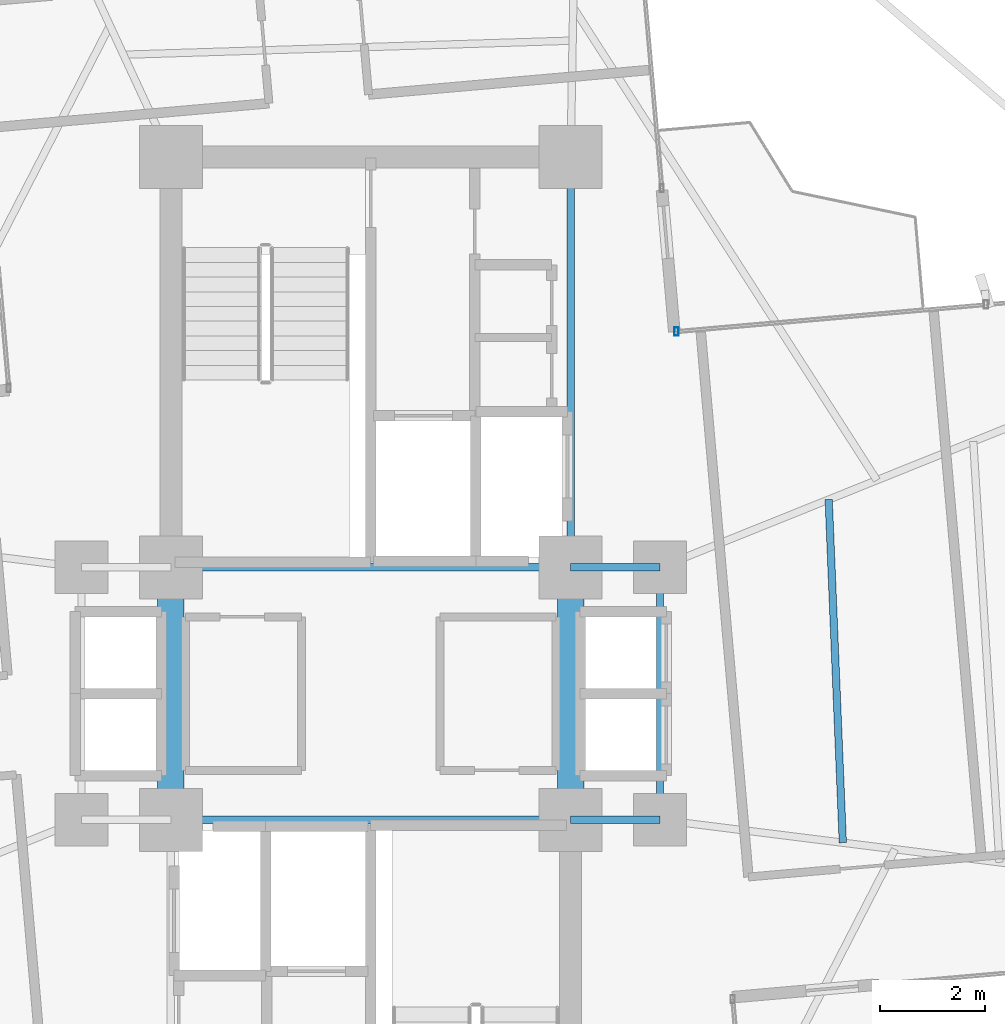
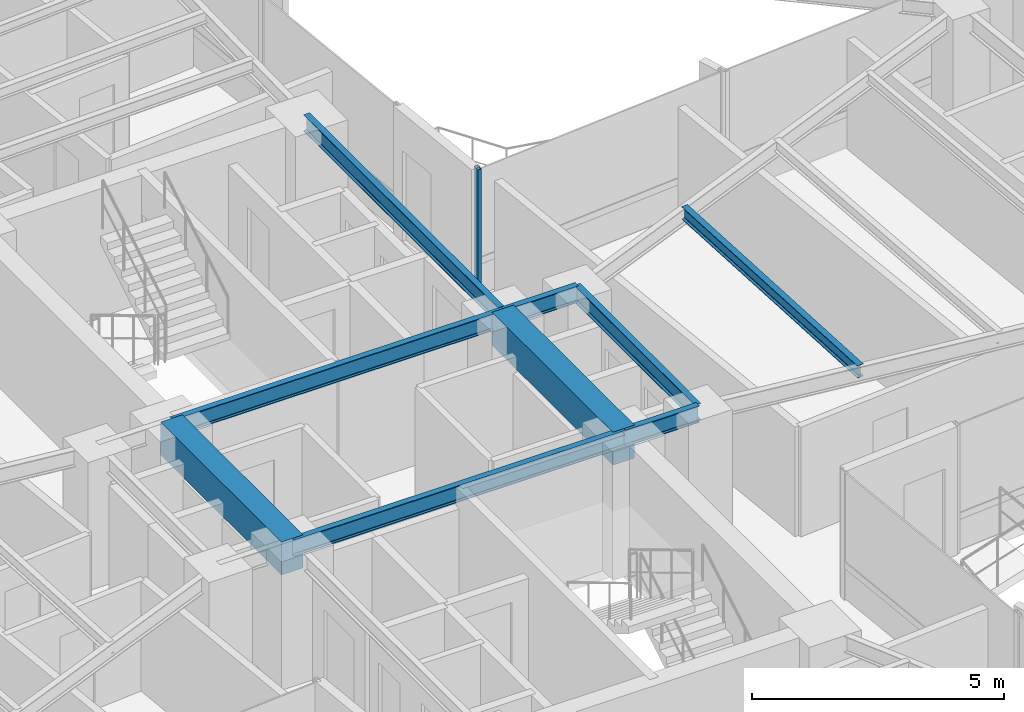
# One storey, part 11 of 24: 9 beams, 1 member, 1 element without a shape of its own.
"""IFC4 building model written with IfcOpenShell, lengths in metres."""

from ifc_helpers import new_model, si_unit, direction, frame, origin, origin_2d, place, context, subcontext, project, spatial, rectangle, hollow_rectangle, i_section, extrude, source, transform, mapped, material, material_profile, profile_set, type_object, element, aggregate, save


model = new_model("IFC4")

# Units and contexts
model_context = context("Model", 3, precision=1e-05, world=origin(), true_north=direction((0.0, 1.0)))
body_context = subcontext(model_context, "Body", "Model", "MODEL_VIEW")
ifc_project = project(units=[si_unit("LENGTHUNIT", "METRE"), si_unit("AREAUNIT", "SQUARE_METRE"), si_unit("VOLUMEUNIT", "CUBIC_METRE"), si_unit("PLANEANGLEUNIT", "RADIAN"), si_unit("MASSUNIT", "GRAM", prefix="KILO")], contexts=[model_context])

# Site, building, storey
site_placement = place(None, origin())
site = spatial("IfcSite", under=ifc_project, at=site_placement, CompositionType="ELEMENT")
building_placement = place(site_placement, origin())
building = spatial("IfcBuilding", under=site, at=building_placement, Name="Sahyath Konkavel Grand Hotel", CompositionType="ELEMENT")
storey_placement = place(building_placement, frame((0.0, 0.0, 181.89990234375)))
storey = spatial("IfcBuildingStorey", under=building, at=storey_placement, Name="L50", CompositionType="ELEMENT", Elevation=181.89990234375)

# Beams
ifc_material_1 = material(Name="Steel E350", Category="steel")
ifc_material_profile_1 = material_profile(ifc_material_1, i_section(OverallWidth=0.139892578125, OverallDepth=0.39990234375, WebThickness=0.0087890625, FlangeThickness=0.01611328125, FilletRadius=0.013916015625, at=origin_2d()), Name="ISMB 400")
ifc_profile_set_1 = profile_set([ifc_material_profile_1], Name="Steel E350")
beam_type_1 = type_object("IfcBeamType", Name="BM-ISMB400", PredefinedType="BEAM", material=ifc_profile_set_1)
shared_shape_1 = source(origin(), body_context, "Body", "SweptSolid", [
    extrude(i_section(OverallWidth=0.139892578125, OverallDepth=0.39990234375, WebThickness=0.0087890625, FlangeThickness=0.01611328125, FilletRadius=0.013916015625, at=origin_2d()), origin(), (0.0, 0.0, 1.0), 7.60009765625),
])
for number, where, z_axis, x_axis, name in (
    (1, (-3.800048828125, 2.39990234375, 2.91015625), (1.0, 0.0, 0.0), (0.0, 1.0, 0.0), "str:bm:L50:NC-S"),
    (2, (-3.800048828125, -2.39990234375, 2.91015625), (1.0, 0.0, 0.0), (0.0, 1.0, 0.0), "str:bm:L50:SC-N"),
):
    element("IfcBeam", number, at=place(storey_placement, frame(where, z_axis=z_axis, x_axis=x_axis)), inside=storey, type_object=beam_type_1, Name=name, PredefinedType="BEAM", context=body_context, shape_type="MappedRepresentation", body=[
        mapped(shared_shape_1, transform((0.0, 0.0, 0.0), scale=1.0)),
    ])
shared_shape_2 = source(origin(), body_context, "Body", "SweptSolid", [
    extrude(i_section(OverallWidth=0.139892578125, OverallDepth=0.39990234375, WebThickness=0.0087890625, FlangeThickness=0.01611328125, FilletRadius=0.013916015625, at=origin_2d()), origin(), (0.0, 0.0, 1.0), 7.800048828125),
])
beam_1_placement = place(storey_placement, frame((3.800048828125, 2.39990234375, 2.91015625), z_axis=(0.0, 1.0, 0.0), x_axis=(-1.0, 0.0, 0.0)))
element("IfcBeam", 3, at=beam_1_placement, inside=storey, type_object=beam_type_1, Name="str:bm:L50:NC-E", PredefinedType="BEAM", context=body_context, shape_type="MappedRepresentation", body=[
    mapped(shared_shape_2, transform((0.0, 0.0, 0.0), scale=1.0)),
])
shared_shape_3 = source(origin(), body_context, "Body", "SweptSolid", [
    extrude(i_section(OverallWidth=0.139892578125, OverallDepth=0.39990234375, WebThickness=0.0087890625, FlangeThickness=0.01611328125, FilletRadius=0.013916015625, at=origin_2d()), origin(), (0.0, 0.0, 1.0), 1.699951171875),
])
for number, where, z_axis, x_axis, name in (
    (4, (3.800048828125, 2.39990234375, 2.91015625), (1.0, 0.0, 0.0), (0.0, 1.0, 0.0), "str:bm:L50:HB-NE"),
    (5, (3.800048828125, -2.39990234375, 2.91015625), (1.0, 0.0, 0.0), (0.0, 1.0, 0.0), "str:bm:L50:HB-SE"),
):
    element("IfcBeam", number, at=place(storey_placement, frame(where, z_axis=z_axis, x_axis=x_axis)), inside=storey, type_object=beam_type_1, Name=name, PredefinedType="BEAM", context=body_context, shape_type="MappedRepresentation", body=[
        mapped(shared_shape_3, transform((0.0, 0.0, 0.0), scale=1.0)),
    ])
shared_shape_4 = source(origin(), body_context, "Body", "SweptSolid", [
    extrude(i_section(OverallWidth=0.139892578125, OverallDepth=0.39990234375, WebThickness=0.0087890625, FlangeThickness=0.01611328125, FilletRadius=0.013916015625, at=origin_2d()), origin(), (0.0, 0.0, 1.0), 4.7998046875),
])
beam_2_placement = place(storey_placement, frame((5.5, -2.39990234375, 2.91015625), z_axis=(0.0, 1.0, 0.0), x_axis=(-1.0, 0.0, 0.0)))
element("IfcBeam", 6, at=beam_2_placement, inside=storey, type_object=beam_type_1, Name="str:bm:L50:HB-E", PredefinedType="BEAM", context=body_context, shape_type="MappedRepresentation", body=[
    mapped(shared_shape_4, transform((0.0, 0.0, 0.0), scale=1.0)),
])
ifc_material_2 = material(Name="Concrete C50/60", Category="concrete")
ifc_material_profile_2 = material_profile(ifc_material_2, rectangle(XDim=0.5, YDim=0.800048828125, at=origin_2d()), Name="RC 500x800")
ifc_profile_set_2 = profile_set([ifc_material_profile_2], Name="Concrete C50/60")
beam_type_2 = type_object("IfcBeamType", Name="BM-CB500x800", PredefinedType="LINTEL", material=ifc_profile_set_2)
shared_shape_5 = source(origin(), body_context, "Body", "SweptSolid", [
    extrude(rectangle(XDim=0.5, YDim=0.800048828125, at=origin_2d()), origin(), (0.0, 0.0, 1.0), 4.7998046875),
])
for number, where, z_axis, x_axis, name in (
    (7, (-3.800048828125, -2.39990234375, 2.710205078125), (0.0, 1.0, 0.0), (-1.0, 0.0, 0.0), "L50 Split-Core Coupling Beam West"),
    (8, (3.800048828125, -2.39990234375, 2.710205078125), (0.0, 1.0, 0.0), (-1.0, 0.0, 0.0), "L50 Split-Core Coupling Beam East"),
):
    element("IfcBeam", number, at=place(storey_placement, frame(where, z_axis=z_axis, x_axis=x_axis)), inside=storey, type_object=beam_type_2, Name=name, PredefinedType="LINTEL", context=body_context, shape_type="MappedRepresentation", body=[
        mapped(shared_shape_5, transform((0.0, 0.0, 0.0), scale=1.0)),
    ])
ifc_material_profile_3 = material_profile(ifc_material_1, i_section(OverallWidth=0.139892578125, OverallDepth=0.300048828125, WebThickness=0.0078125, FlangeThickness=0.01318359375, FilletRadius=0.013916015625, at=origin_2d()), Name="ISMB 300")
ifc_profile_set_3 = profile_set([ifc_material_profile_3], Name="Steel E350")
beam_type_3 = type_object("IfcBeamType", Name="BM-ISMB300", PredefinedType="BEAM", material=ifc_profile_set_3)
shared_shape_6 = source(origin(), body_context, "Body", "SweptSolid", [
    extrude(i_section(OverallWidth=0.139892578125, OverallDepth=0.300048828125, WebThickness=0.0078125, FlangeThickness=0.01318359375, FilletRadius=0.013916015625, at=origin_2d()), origin(), (0.0, 0.0, 1.0), 6.530029296875),
])
beam_3_placement = place(storey_placement, frame((8.9755859375, -2.835205078125, 2.960205078125), z_axis=(-0.04112667768, 0.999153940283, 0.0), x_axis=(-0.999153940283, -0.04112667768, 0.0)))
element("IfcBeam", 9, at=beam_3_placement, inside=storey, type_object=beam_type_3, Name="L50 Secondary Floor Beam E-1", PredefinedType="BEAM", context=body_context, shape_type="MappedRepresentation", body=[
    mapped(shared_shape_6, transform((0.0, 0.0, 0.0), scale=1.0)),
])

# Curtain wall, member
ifc_material_3 = material(Name="Anodised Bronze Aluminium & Low-E Glazing", Category="aluminium")
curtain_wall_type = type_object("IfcCurtainWallType", Name="CW-ZONE3", PredefinedType="NOTDEFINED", material=ifc_material_3)
curtain_wall_placement = place(storey_placement, origin())
curtain_wall = element("IfcCurtainWall", 10, at=curtain_wall_placement, inside=storey, type_object=curtain_wall_type, Name="L50 Unitised Curtain Wall F7", PredefinedType="NOTDEFINED")
ifc_material_4 = material(Name="Anodised Bronze Aluminium", Category="aluminium")
ifc_material_profile_4 = material_profile(ifc_material_4, hollow_rectangle(XDim=0.080078125, YDim=0.159912109375, WallThickness=0.006103515625, at=origin_2d()), Name="RHS 160x80x6")
ifc_profile_set_4 = profile_set([ifc_material_profile_4], Name="Anodised Bronze Aluminium")
member_type = type_object("IfcMemberType", Name="CW-MUL-160", PredefinedType="MULLION", material=ifc_profile_set_4)
shared_shape_7 = source(origin(), body_context, "Body", "SweptSolid", [
    extrude(hollow_rectangle(XDim=0.080078125, YDim=0.159912109375, WallThickness=0.006103515625, at=origin_2d()), origin(), (0.0, 0.0, 1.0), 3.110107421875),
])
member_placement = place(storey_placement, frame((5.812255859375, 6.8828125, 0.0), z_axis=(0.0, 0.0, 1.0), x_axis=(1.0, 0.0, 0.0)))
member = element("IfcMember", 11, at=member_placement, type_object=member_type, Name="L50 Curtain Wall Mullion F7-2", PredefinedType="MULLION", context=body_context, shape_type="MappedRepresentation", body=[
    mapped(shared_shape_7, transform((0.0, 0.0, 0.0), scale=1.0)),
])
aggregate(curtain_wall, [member])

save(model, "model.ifc")
